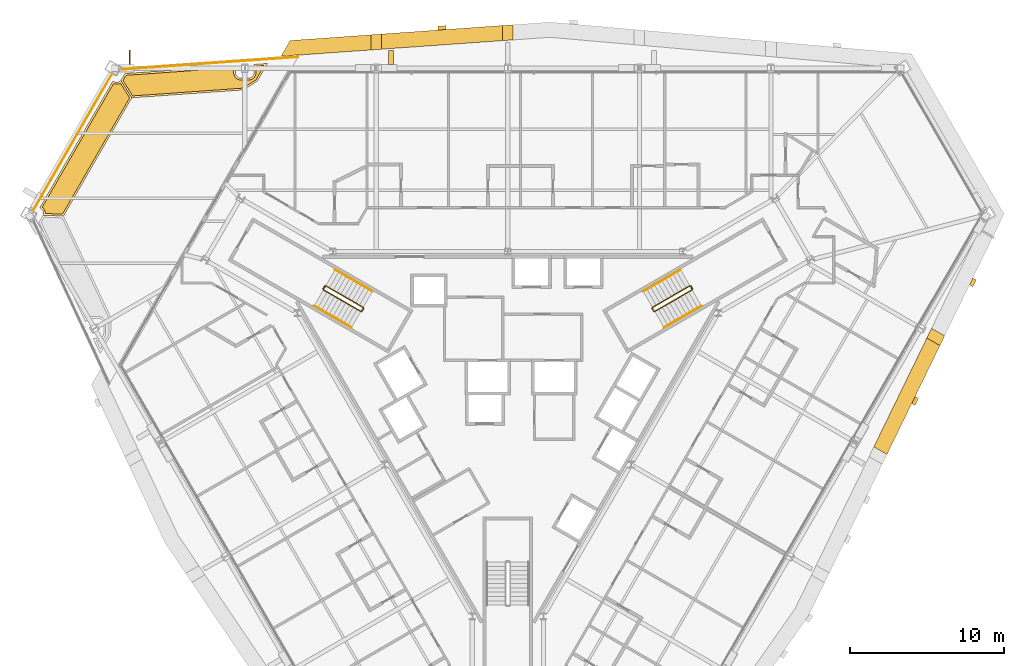
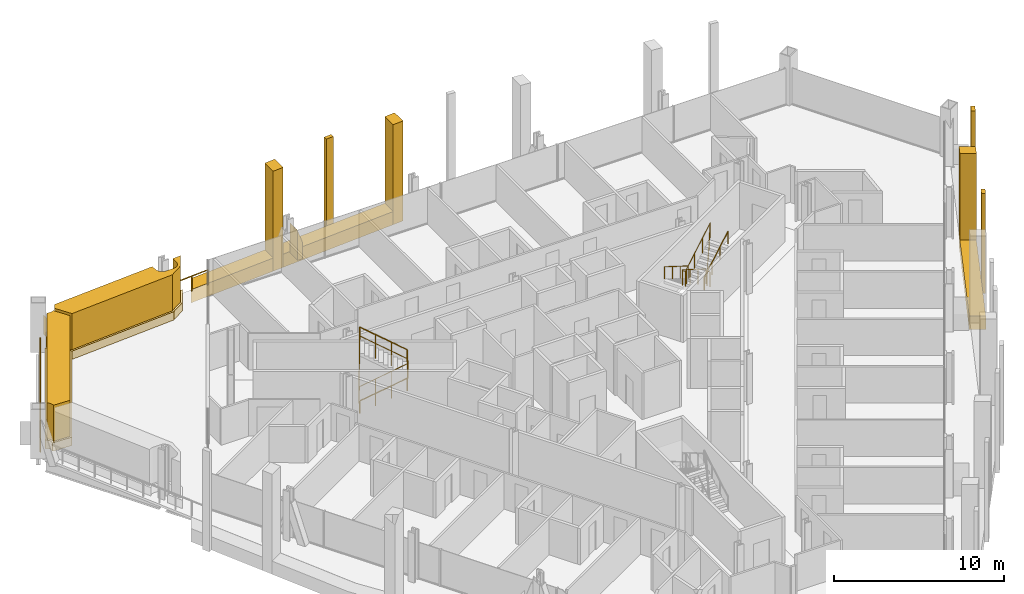
# One storey, part 18 of 19: 15 coverings, 8 railings.
"""IFC4 building model written with IfcOpenShell, lengths in metres."""

from ifc_helpers import new_model, si_unit, direction, frame, origin, origin_2d, place, context, subcontext, project, spatial, polyline, circle, outline, extrude, material, layer, layer_set, type_object, element, save


model = new_model("IFC4")

# Units and contexts
model_context = context("Model", 3, precision=1e-05, world=origin(), true_north=direction((0.0, 1.0)))
body_context = subcontext(model_context, "Body", "Model", "MODEL_VIEW")
ifc_project = project(units=[si_unit("LENGTHUNIT", "METRE"), si_unit("AREAUNIT", "SQUARE_METRE"), si_unit("VOLUMEUNIT", "CUBIC_METRE"), si_unit("PLANEANGLEUNIT", "RADIAN"), si_unit("MASSUNIT", "GRAM", prefix="KILO")], contexts=[model_context])

# Site, building, storey
site_placement = place(None, origin())
site = spatial("IfcSite", under=ifc_project, at=site_placement, CompositionType="ELEMENT")
building_placement = place(site_placement, origin())
building = spatial("IfcBuilding", under=site, at=building_placement, Name="Verrane Prism Tower", CompositionType="ELEMENT")
storey_placement = place(building_placement, frame((0.0, 0.0, 58.39990234375)))
storey = spatial("IfcBuildingStorey", under=building, at=storey_placement, Name="L12", CompositionType="ELEMENT", Elevation=58.39990234375)

# Railings
ifc_material_1 = material(Name="Stainless steel and laminated glass", Category="steel")
railing_type_1 = type_object("IfcRailingType", Name="Garden guard 1100", PredefinedType="GUARDRAIL", material=ifc_material_1)
railing_1_placement = place(storey_placement, frame((-13.58203125, 21.796142578125, 0.0)))
element("IfcRailing", 1, at=railing_1_placement, inside=storey, type_object=railing_type_1, Name="Garden guard L12 1", PredefinedType="GUARDRAIL", context=body_context, shape_type="SweptSolid", body=[
    extrude(circle(Radius=0.02392578125, at=origin_2d()), frame((0.0, 0.0, 1.076171875), z_axis=(-0.997507746928, -0.070557032386, 0.0), x_axis=(0.070557032386, -0.997507746928, 0.0)), (0.0, 0.0, 1.0), 11.4912109375),
    extrude(circle(Radius=0.02099609375, at=origin_2d()), origin(), (0.0, 0.0, 1.0), 1.052001953125),
    extrude(circle(Radius=0.02099609375, at=origin_2d()), frame((-1.146240234375, -0.0810546875, 0.0)), (0.0, 0.0, 1.0), 1.052001953125),
    extrude(circle(Radius=0.02099609375, at=origin_2d()), frame((-2.29248046875, -0.162109375, 0.0)), (0.0, 0.0, 1.0), 1.052001953125),
    extrude(circle(Radius=0.02099609375, at=origin_2d()), frame((-3.438720703125, -0.2431640625, 0.0)), (0.0, 0.0, 1.0), 1.052001953125),
    extrude(circle(Radius=0.02099609375, at=origin_2d()), frame((-4.5849609375, -0.32421875, 0.0)), (0.0, 0.0, 1.0), 1.052001953125),
    extrude(circle(Radius=0.02099609375, at=origin_2d()), frame((-5.7314453125, -0.4052734375, 0.0)), (0.0, 0.0, 1.0), 1.052001953125),
    extrude(circle(Radius=0.02099609375, at=origin_2d()), frame((-6.877685546875, -0.486572265625, 0.0)), (0.0, 0.0, 1.0), 1.052001953125),
    extrude(circle(Radius=0.02099609375, at=origin_2d()), frame((-8.02392578125, -0.567626953125, 0.0)), (0.0, 0.0, 1.0), 1.052001953125),
    extrude(circle(Radius=0.02099609375, at=origin_2d()), frame((-9.170166015625, -0.648681640625, 0.0)), (0.0, 0.0, 1.0), 1.052001953125),
    extrude(circle(Radius=0.02099609375, at=origin_2d()), frame((-10.31640625, -0.729736328125, 0.0)), (0.0, 0.0, 1.0), 1.052001953125),
    extrude(circle(Radius=0.02099609375, at=origin_2d()), frame((-11.462646484375, -0.810791015625, 0.0)), (0.0, 0.0, 1.0), 1.052001953125),
])
railing_2_placement = place(storey_placement, frame((-25.634765625, 20.68017578125, 0.0)))
element("IfcRailing", 2, at=railing_2_placement, inside=storey, type_object=railing_type_1, Name="Garden guard L12 2", PredefinedType="GUARDRAIL", context=body_context, shape_type="SweptSolid", body=[
    extrude(circle(Radius=0.02392578125, at=origin_2d()), frame((0.0, 0.0, 1.076171875), z_axis=(-0.500008799833, -0.866020323139, 0.0), x_axis=(0.866020323139, -0.500008799833, 0.0)), (0.0, 0.0, 1.0), 10.184814453125),
    extrude(circle(Radius=0.02099609375, at=origin_2d()), origin(), (0.0, 0.0, 1.0), 1.052001953125),
    extrude(circle(Radius=0.02099609375, at=origin_2d()), frame((-0.56591796875, -0.97998046875, 0.0)), (0.0, 0.0, 1.0), 1.052001953125),
    extrude(circle(Radius=0.02099609375, at=origin_2d()), frame((-1.131591796875, -1.9599609375, 0.0)), (0.0, 0.0, 1.0), 1.052001953125),
    extrude(circle(Radius=0.02099609375, at=origin_2d()), frame((-1.697509765625, -2.940185546875, 0.0)), (0.0, 0.0, 1.0), 1.052001953125),
    extrude(circle(Radius=0.02099609375, at=origin_2d()), frame((-2.263427734375, -3.920166015625, 0.0)), (0.0, 0.0, 1.0), 1.052001953125),
    extrude(circle(Radius=0.02099609375, at=origin_2d()), frame((-2.8291015625, -4.900146484375, 0.0)), (0.0, 0.0, 1.0), 1.052001953125),
    extrude(circle(Radius=0.02099609375, at=origin_2d()), frame((-3.39501953125, -5.880126953125, 0.0)), (0.0, 0.0, 1.0), 1.052001953125),
    extrude(circle(Radius=0.02099609375, at=origin_2d()), frame((-3.9609375, -6.8603515625, 0.0)), (0.0, 0.0, 1.0), 1.052001953125),
    extrude(circle(Radius=0.02099609375, at=origin_2d()), frame((-4.526611328125, -7.84033203125, 0.0)), (0.0, 0.0, 1.0), 1.052001953125),
    extrude(circle(Radius=0.02099609375, at=origin_2d()), frame((-5.092529296875, -8.8203125, 0.0)), (0.0, 0.0, 1.0), 1.052001953125),
])

# Coverings
ifc_material_2 = material(Name="Planting medium in stone kerb", Category="masonry")
covering_type_1 = type_object("IfcCoveringType", Name="Planter bed 600", PredefinedType="USERDEFINED", material=ifc_material_2)
covering_1_placement = place(storey_placement, origin())
element("IfcCovering", 3, at=covering_1_placement, inside=storey, type_object=covering_type_1, Name="Planter bed L12 1", ObjectType="PLANTER", PredefinedType="USERDEFINED", context=body_context, shape_type="SweptSolid", body=[
    extrude(outline(polyline([(-17.6318359375, 21.22900390625), (-24.792236328125, 20.722412109375), (-25.021240234375, 20.325927734375), (-25.039794921875, 20.297119140625), (-25.0537109375, 20.279296875), (-24.347412109375, 19.14990234375), (-17.124267578125, 19.660888671875), (-16.220703125, 20.22607421875), (-15.556884765625, 21.375732421875), (-16.428955078125, 21.314208984375), (-16.428955078125, 20.774658203125), (-16.4306640625, 20.740234375), (-16.435791015625, 20.706298828125), (-16.444091796875, 20.673095703125), (-16.455810546875, 20.640625), (-16.47021484375, 20.609619140625), (-16.488037109375, 20.580078125), (-16.508544921875, 20.552490234375), (-16.531494140625, 20.527099609375), (-16.556884765625, 20.50390625), (-16.584716796875, 20.483642578125), (-16.614013671875, 20.4658203125), (-16.64501953125, 20.451171875), (-16.677490234375, 20.439697265625), (-16.710693359375, 20.431396484375), (-16.74462890625, 20.42626953125), (-16.779052734375, 20.424560546875), (-17.281005859375, 20.424560546875), (-17.315185546875, 20.42626953125), (-17.349365234375, 20.431396484375), (-17.382568359375, 20.439697265625), (-17.414794921875, 20.451171875), (-17.446044921875, 20.4658203125), (-17.475341796875, 20.483642578125), (-17.5029296875, 20.50390625), (-17.528564453125, 20.527099609375), (-17.551513671875, 20.552490234375), (-17.572021484375, 20.580078125), (-17.589599609375, 20.609619140625), (-17.604248046875, 20.640625), (-17.60498046875, 20.642333984375), (-17.60498046875, 20.642578125), (-17.61669921875, 20.675048828125), (-17.625, 20.70849609375), (-17.630126953125, 20.742431640625), (-17.6318359375, 20.776611328125), (-17.6318359375, 21.22900390625)])), origin(), (0.0, 0.0, 1.0), 0.60009765625),
])
covering_2_placement = place(storey_placement, origin())
element("IfcCovering", 4, at=covering_2_placement, inside=storey, type_object=covering_type_1, Name="Planter bed L12 2", ObjectType="PLANTER", PredefinedType="USERDEFINED", context=body_context, shape_type="SweptSolid", body=[
    extrude(outline(polyline([(-30.064453125, 11.66748046875), (-30.0673828125, 11.63330078125), (-30.073486328125, 11.599609375), (-30.0830078125, 11.566650390625), (-30.089599609375, 11.5498046875), (-28.768798828125, 11.491943359375), (-24.347412109375, 19.14990234375), (-25.0537109375, 20.279296875), (-25.061279296875, 20.27001953125), (-25.085205078125, 20.24560546875), (-25.111083984375, 20.22314453125), (-25.139404296875, 20.20361328125), (-25.16943359375, 20.18701171875), (-25.200927734375, 20.17333984375), (-25.233642578125, 20.162841796875), (-25.267333984375, 20.155517578125), (-25.301513671875, 20.151611328125), (-25.335693359375, 20.151123046875), (-25.3701171875, 20.15380859375), (-25.40380859375, 20.16015625), (-25.436767578125, 20.16943359375), (-25.46875, 20.18212890625), (-25.499267578125, 20.19775390625), (-25.5673828125, 20.237060546875), (-30.309814453125, 12.02294921875), (-30.2392578125, 11.982177734375), (-30.21044921875, 11.963623046875), (-30.18359375, 11.942138671875), (-30.158935546875, 11.918212890625), (-30.13671875, 11.89208984375), (-30.1171875, 11.864013671875), (-30.100341796875, 11.833984375), (-30.086669921875, 11.802490234375), (-30.076171875, 11.769775390625), (-30.069091796875, 11.736083984375), (-30.065185546875, 11.701904296875), (-30.064453125, 11.66748046875)])), origin(), (0.0, 0.0, 1.0), 0.60009765625),
])
ifc_material_3 = material(Name="Planted shrubs and grasses", Category="other")
covering_type_2 = type_object("IfcCoveringType", Name="Planting mass 1000", PredefinedType="USERDEFINED", material=ifc_material_3)
covering_3_placement = place(storey_placement, frame((0.0, 0.0, 0.60009765625)))
element("IfcCovering", 5, at=covering_3_placement, inside=storey, type_object=covering_type_2, Name="Planting L12 1", ObjectType="PLANTING", PredefinedType="USERDEFINED", context=body_context, shape_type="SweptSolid", body=[
    extrude(outline(polyline([(-24.283935546875, 19.274658203125), (-17.16259765625, 19.778564453125), (-16.3095703125, 20.31201171875), (-15.773681640625, 21.239990234375), (-16.30908203125, 21.202392578125), (-16.30908203125, 20.771484375), (-16.31103515625, 20.728515625), (-16.31787109375, 20.682861328125), (-16.3291015625, 20.63818359375), (-16.3447265625, 20.5947265625), (-16.364501953125, 20.552978515625), (-16.38818359375, 20.513427734375), (-16.41552734375, 20.476318359375), (-16.446533203125, 20.442138671875), (-16.480712890625, 20.4111328125), (-16.517822265625, 20.3837890625), (-16.557373046875, 20.35986328125), (-16.59912109375, 20.340087890625), (-16.642578125, 20.32470703125), (-16.687255859375, 20.3134765625), (-16.73291015625, 20.306640625), (-16.776123046875, 20.3046875), (-17.283935546875, 20.3046875), (-17.3271484375, 20.306640625), (-17.372802734375, 20.3134765625), (-17.41748046875, 20.32470703125), (-17.4609375, 20.340087890625), (-17.502685546875, 20.35986328125), (-17.542236328125, 20.3837890625), (-17.5791015625, 20.4111328125), (-17.61328125, 20.442138671875), (-17.644287109375, 20.476318359375), (-17.671875, 20.513427734375), (-17.695556640625, 20.552978515625), (-17.71484375, 20.593505859375), (-17.7177734375, 20.601318359375), (-17.731689453125, 20.64013671875), (-17.742919921875, 20.684814453125), (-17.749755859375, 20.730712890625), (-17.751708984375, 20.773681640625), (-17.751708984375, 21.10009765625), (-24.72021484375, 20.607421875), (-24.910888671875, 20.277099609375), (-24.283935546875, 19.274658203125)])), origin(), (0.0, 0.0, 1.0), 2.60009765625),
])
covering_4_placement = place(storey_placement, frame((0.0, 0.0, 0.60009765625)))
element("IfcCovering", 6, at=covering_4_placement, inside=storey, type_object=covering_type_2, Name="Planting L12 2", ObjectType="PLANTING", PredefinedType="USERDEFINED", context=body_context, shape_type="SweptSolid", body=[
    extrude(outline(polyline([(-30.140380859375, 12.061279296875), (-30.104248046875, 12.03271484375), (-30.0712890625, 12.00048828125), (-30.041259765625, 11.96533203125), (-30.01513671875, 11.927490234375), (-29.99267578125, 11.886962890625), (-29.974365234375, 11.8447265625), (-29.960205078125, 11.80078125), (-29.950439453125, 11.755615234375), (-29.9453125, 11.709716796875), (-29.9443359375, 11.663818359375), (-29.9443359375, 11.66357421875), (-28.836181640625, 11.614990234375), (-24.4873046875, 19.1474609375), (-25.08203125, 20.098388671875), (-25.116455078125, 20.079345703125), (-25.15869140625, 20.060791015625), (-25.20263671875, 20.046875), (-25.247802734375, 20.037109375), (-25.293701171875, 20.03173828125), (-25.339599609375, 20.031005859375), (-25.3857421875, 20.034912109375), (-25.43115234375, 20.04296875), (-25.475341796875, 20.0556640625), (-25.518310546875, 20.07275390625), (-25.5224609375, 20.07470703125), (-30.146728515625, 12.065185546875), (-30.140380859375, 12.061279296875)])), origin(), (0.0, 0.0, 1.0), 2.60009765625),
])

# Railings
ifc_material_4 = material(Name="Steel A36 rail and posts, no infill", Category="steel")
railing_type_2 = type_object("IfcRailingType", Name="Stair guard 1100 steel rail and posts", PredefinedType="GUARDRAIL", material=ifc_material_4)
railing_3_placement = place(storey_placement, frame((11.78955078125, 6.97998046875, 0.163818359375)))
element("IfcRailing", 7, at=railing_3_placement, inside=storey, type_object=railing_type_2, Name="Stair 1 guard", PredefinedType="GUARDRAIL", context=body_context, shape_type="SweptSolid", body=[
    extrude(circle(Radius=0.02392578125, at=origin_2d()), frame((0.0, 0.0, 1.076171875), z_axis=(-0.747693913401, -0.431738279637, 0.504535300807), x_axis=(0.500049511043, -0.865996816683, 0.0)), (0.0, 0.0, 1.0), 3.2431640625),
    extrude(circle(Radius=0.02392578125, at=origin_2d()), frame((-2.4248046875, -1.400146484375, 2.71240234375), z_axis=(-0.259601060869, -0.965715946433, 0.0), x_axis=(0.965715946433, -0.259601060869, 0.0)), (0.0, 0.0, 1.0), 0.070556640625),
    extrude(circle(Radius=0.02392578125, at=origin_2d()), frame((-2.443115234375, -1.46826171875, 2.71240234375), z_axis=(0.499158860599, -0.866510491504, 0.0), x_axis=(0.866510491504, 0.499158860599, 0.0)), (0.0, 0.0, 1.0), 0.199951171875),
    extrude(circle(Radius=0.02392578125, at=origin_2d()), frame((-2.34326171875, -1.6416015625, 2.71240234375), z_axis=(0.383552647116, -0.102737316192, 0.917786691313), x_axis=(0.258736085224, 0.965948051503, 0.0)), (0.0, 0.0, 1.0), 0.17822265625),
    extrude(circle(Radius=0.02392578125, at=origin_2d()), frame((-2.27490234375, -1.659912109375, 2.8759765625), z_axis=(0.747665513933, 0.431721881032, 0.504591415616), x_axis=(-0.500049511043, 0.865996816683, 0.0)), (0.0, 0.0, 1.0), 3.2431640625),
    extrude(circle(Radius=0.02392578125, at=origin_2d()), frame((0.14990234375, -0.259765625, 4.51220703125), z_axis=(-0.022593669287, 0.066901613547, -0.997503734436), x_axis=(-0.947430582667, -0.3199613899, 0.0)), (0.0, 0.0, 1.0), 3.609130859375),
    extrude(circle(Radius=0.02392578125, at=origin_2d()), frame((0.068359375, -0.018310546875, 0.912109375), z_axis=(0.499158860599, -0.866510491504, 0.0), x_axis=(0.866510491504, 0.499158860599, 0.0)), (0.0, 0.0, 1.0), 0.199951171875),
    extrude(circle(Radius=0.02099609375, at=origin_2d()), origin(), (0.0, 0.0, 1.0), 1.052001953125),
    extrude(circle(Radius=0.02099609375, at=origin_2d()), frame((-0.808349609375, -0.466796875, 0.54541015625)), (0.0, 0.0, 1.0), 1.052001953125),
    extrude(circle(Radius=0.02099609375, at=origin_2d()), frame((-1.616455078125, -0.933349609375, 1.0908203125)), (0.0, 0.0, 1.0), 1.052001953125),
    extrude(circle(Radius=0.02099609375, at=origin_2d()), frame((-2.4248046875, -1.400146484375, 1.63623046875)), (0.0, 0.0, 1.0), 1.052001953125),
    extrude(circle(Radius=0.02099609375, at=origin_2d()), frame((-2.443115234375, -1.46826171875, 1.63623046875)), (0.0, 0.0, 1.0), 1.052001953125),
    extrude(circle(Radius=0.02099609375, at=origin_2d()), frame((-2.34326171875, -1.6416015625, 1.63623046875)), (0.0, 0.0, 1.0), 1.052001953125),
    extrude(circle(Radius=0.02099609375, at=origin_2d()), frame((-2.27490234375, -1.659912109375, 1.7998046875)), (0.0, 0.0, 1.0), 1.052001953125),
    extrude(circle(Radius=0.02099609375, at=origin_2d()), frame((-1.466552734375, -1.193115234375, 2.34521484375)), (0.0, 0.0, 1.0), 1.052001953125),
    extrude(circle(Radius=0.02099609375, at=origin_2d()), frame((-0.658447265625, -0.7265625, 2.890869140625)), (0.0, 0.0, 1.0), 1.052001953125),
    extrude(circle(Radius=0.02099609375, at=origin_2d()), frame((0.14990234375, -0.259765625, 3.436279296875)), (0.0, 0.0, 1.0), 1.052001953125),
    extrude(circle(Radius=0.02099609375, at=origin_2d()), frame((0.12939453125, -0.199462890625, 2.5361328125)), (0.0, 0.0, 1.0), 1.052001953125),
    extrude(circle(Radius=0.02099609375, at=origin_2d()), frame((0.109130859375, -0.13916015625, 1.63623046875)), (0.0, 0.0, 1.0), 1.052001953125),
    extrude(circle(Radius=0.02099609375, at=origin_2d()), frame((0.0888671875, -0.07861328125, 0.736328125)), (0.0, 0.0, 1.0), 1.052001953125),
    extrude(circle(Radius=0.02099609375, at=origin_2d()), frame((0.068359375, -0.018310546875, -0.163818359375)), (0.0, 0.0, 1.0), 1.052001953125),
    extrude(circle(Radius=0.02099609375, at=origin_2d()), frame((0.168212890625, -0.191650390625, -0.163818359375)), (0.0, 0.0, 1.0), 1.052001953125),
])
railing_4_placement = place(storey_placement, frame((-11.939453125, 6.72021484375, 0.163818359375)))
element("IfcRailing", 8, at=railing_4_placement, inside=storey, type_object=railing_type_2, Name="Stair 2 guard", PredefinedType="GUARDRAIL", context=body_context, shape_type="SweptSolid", body=[
    extrude(circle(Radius=0.02392578125, at=origin_2d()), frame((0.0, 0.0, 1.076171875), z_axis=(0.747693913401, -0.431738279637, 0.504535300807), x_axis=(0.500049511043, 0.865996816683, 0.0)), (0.0, 0.0, 1.0), 3.2431640625),
    extrude(circle(Radius=0.02392578125, at=origin_2d()), frame((2.4248046875, -1.400146484375, 2.71240234375), z_axis=(0.965948051503, 0.258736085224, 0.0), x_axis=(-0.258736085224, 0.965948051503, 0.0)), (0.0, 0.0, 1.0), 0.07080078125),
    extrude(circle(Radius=0.02392578125, at=origin_2d()), frame((2.4931640625, -1.3818359375, 2.71240234375), z_axis=(0.499158860599, 0.866510491504, 0.0), x_axis=(-0.866510491504, 0.499158860599, 0.0)), (0.0, 0.0, 1.0), 0.199951171875),
    extrude(circle(Radius=0.02392578125, at=origin_2d()), frame((2.593017578125, -1.20849609375, 2.71240234375), z_axis=(-0.102791240646, 0.382383415203, 0.918268416436), x_axis=(-0.965715946433, -0.259601060869, 0.0)), (0.0, 0.0, 1.0), 0.17822265625),
    extrude(circle(Radius=0.02392578125, at=origin_2d()), frame((2.57470703125, -1.140380859375, 2.8759765625), z_axis=(-0.747665513933, 0.431721881032, 0.504591415616), x_axis=(-0.500049511043, -0.865996816683, 0.0)), (0.0, 0.0, 1.0), 3.2431640625),
    extrude(circle(Radius=0.02392578125, at=origin_2d()), frame((0.14990234375, 0.259765625, 4.51220703125), z_axis=(-0.046607763296, -0.053101733218, -0.99750083826), x_axis=(0.751567565678, -0.659656118156, 0.0)), (0.0, 0.0, 1.0), 3.609130859375),
    extrude(circle(Radius=0.02392578125, at=origin_2d()), frame((-0.018310546875, 0.068115234375, 0.912109375), z_axis=(0.499158860599, 0.866510491504, 0.0), x_axis=(-0.866510491504, 0.499158860599, 0.0)), (0.0, 0.0, 1.0), 0.199951171875),
    extrude(circle(Radius=0.02099609375, at=origin_2d()), origin(), (0.0, 0.0, 1.0), 1.052001953125),
    extrude(circle(Radius=0.02099609375, at=origin_2d()), frame((0.808349609375, -0.466796875, 0.54541015625)), (0.0, 0.0, 1.0), 1.052001953125),
    extrude(circle(Radius=0.02099609375, at=origin_2d()), frame((1.616455078125, -0.933349609375, 1.0908203125)), (0.0, 0.0, 1.0), 1.052001953125),
    extrude(circle(Radius=0.02099609375, at=origin_2d()), frame((2.4248046875, -1.400146484375, 1.63623046875)), (0.0, 0.0, 1.0), 1.052001953125),
    extrude(circle(Radius=0.02099609375, at=origin_2d()), frame((2.4931640625, -1.3818359375, 1.63623046875)), (0.0, 0.0, 1.0), 1.052001953125),
    extrude(circle(Radius=0.02099609375, at=origin_2d()), frame((2.593017578125, -1.20849609375, 1.63623046875)), (0.0, 0.0, 1.0), 1.052001953125),
    extrude(circle(Radius=0.02099609375, at=origin_2d()), frame((2.57470703125, -1.140380859375, 1.7998046875)), (0.0, 0.0, 1.0), 1.052001953125),
    extrude(circle(Radius=0.02099609375, at=origin_2d()), frame((1.766357421875, -0.673583984375, 2.34521484375)), (0.0, 0.0, 1.0), 1.052001953125),
    extrude(circle(Radius=0.02099609375, at=origin_2d()), frame((0.958251953125, -0.20703125, 2.890869140625)), (0.0, 0.0, 1.0), 1.052001953125),
    extrude(circle(Radius=0.02099609375, at=origin_2d()), frame((0.14990234375, 0.259765625, 3.436279296875)), (0.0, 0.0, 1.0), 1.052001953125),
    extrude(circle(Radius=0.02099609375, at=origin_2d()), frame((0.10791015625, 0.2119140625, 2.5361328125)), (0.0, 0.0, 1.0), 1.052001953125),
    extrude(circle(Radius=0.02099609375, at=origin_2d()), frame((0.06591796875, 0.1640625, 1.63623046875)), (0.0, 0.0, 1.0), 1.052001953125),
    extrude(circle(Radius=0.02099609375, at=origin_2d()), frame((0.023681640625, 0.115966796875, 0.736328125)), (0.0, 0.0, 1.0), 1.052001953125),
    extrude(circle(Radius=0.02099609375, at=origin_2d()), frame((-0.018310546875, 0.068115234375, -0.163818359375)), (0.0, 0.0, 1.0), 1.052001953125),
    extrude(circle(Radius=0.02099609375, at=origin_2d()), frame((0.08154296875, 0.241455078125, -0.163818359375)), (0.0, 0.0, 1.0), 1.052001953125),
])
ifc_material_5 = material(Name="Steel A36 tube", Category="steel")
railing_type_3 = type_object("IfcRailingType", Name="Stair handrail 900 steel tube", PredefinedType="HANDRAIL", material=ifc_material_5)
railing_5_placement = place(storey_placement, frame((11.189453125, 8.01904296875, 0.163818359375)))
element("IfcRailing", 9, at=railing_5_placement, inside=storey, type_object=railing_type_3, Name="Stair 1 handrail", PredefinedType="HANDRAIL", context=body_context, shape_type="SweptSolid", body=[
    extrude(circle(Radius=0.02392578125, at=origin_2d()), frame((0.0, 0.0, 0.8759765625), z_axis=(-0.74771821388, -0.431677027627, 0.504551698492), x_axis=(0.49998411664, -0.866034573852, 0.0)), (0.0, 0.0, 1.0), 3.242919921875),
    extrude(circle(Radius=0.02099609375, at=origin_2d()), origin(), (0.0, 0.0, 1.0), 0.851806640625),
    extrude(circle(Radius=0.02099609375, at=origin_2d()), frame((-0.808349609375, -0.466552734375, 0.54541015625)), (0.0, 0.0, 1.0), 0.851806640625),
    extrude(circle(Radius=0.02099609375, at=origin_2d()), frame((-1.616455078125, -0.933349609375, 1.0908203125)), (0.0, 0.0, 1.0), 0.851806640625),
    extrude(circle(Radius=0.02099609375, at=origin_2d()), frame((-2.4248046875, -1.39990234375, 1.63623046875)), (0.0, 0.0, 1.0), 0.851806640625),
])
railing_6_placement = place(storey_placement, frame((10.11474609375, 4.28076171875, 1.963623046875)))
element("IfcRailing", 10, at=railing_6_placement, inside=storey, type_object=railing_type_3, Name="Stair 1 handrail", PredefinedType="HANDRAIL", context=body_context, shape_type="SweptSolid", body=[
    extrude(circle(Radius=0.02392578125, at=origin_2d()), frame((0.0, 0.0, 0.8759765625), z_axis=(0.747665513933, 0.431721881032, 0.504591415616), x_axis=(-0.500049511043, 0.865996816683, 0.0)), (0.0, 0.0, 1.0), 3.2431640625),
    extrude(circle(Radius=0.02099609375, at=origin_2d()), origin(), (0.0, 0.0, 1.0), 0.851806640625),
    extrude(circle(Radius=0.02099609375, at=origin_2d()), frame((0.808349609375, 0.466796875, 0.54541015625)), (0.0, 0.0, 1.0), 0.851806640625),
    extrude(circle(Radius=0.02099609375, at=origin_2d()), frame((1.616455078125, 0.933349609375, 1.091064453125)), (0.0, 0.0, 1.0), 0.851806640625),
    extrude(circle(Radius=0.02099609375, at=origin_2d()), frame((2.4248046875, 1.400146484375, 1.636474609375)), (0.0, 0.0, 1.0), 0.851806640625),
])
railing_7_placement = place(storey_placement, frame((-12.53955078125, 5.680908203125, 0.163818359375)))
element("IfcRailing", 11, at=railing_7_placement, inside=storey, type_object=railing_type_3, Name="Stair 2 handrail", PredefinedType="HANDRAIL", context=body_context, shape_type="SweptSolid", body=[
    extrude(circle(Radius=0.02392578125, at=origin_2d()), frame((0.0, 0.0, 0.8759765625), z_axis=(0.747693913401, -0.431738279637, 0.504535300807), x_axis=(0.500049511043, 0.865996816683, 0.0)), (0.0, 0.0, 1.0), 3.2431640625),
    extrude(circle(Radius=0.02099609375, at=origin_2d()), origin(), (0.0, 0.0, 1.0), 0.851806640625),
    extrude(circle(Radius=0.02099609375, at=origin_2d()), frame((0.808349609375, -0.466796875, 0.54541015625)), (0.0, 0.0, 1.0), 0.851806640625),
    extrude(circle(Radius=0.02099609375, at=origin_2d()), frame((1.616455078125, -0.933349609375, 1.0908203125)), (0.0, 0.0, 1.0), 0.851806640625),
    extrude(circle(Radius=0.02099609375, at=origin_2d()), frame((2.4248046875, -1.400146484375, 1.63623046875)), (0.0, 0.0, 1.0), 0.851806640625),
])
railing_8_placement = place(storey_placement, frame((-8.7646484375, 6.619140625, 1.963623046875)))
element("IfcRailing", 12, at=railing_8_placement, inside=storey, type_object=railing_type_3, Name="Stair 2 handrail", PredefinedType="HANDRAIL", context=body_context, shape_type="SweptSolid", body=[
    extrude(circle(Radius=0.02392578125, at=origin_2d()), frame((0.0, 0.0, 0.8759765625), z_axis=(-0.747689811644, 0.431660630283, 0.504607813879), x_axis=(-0.49998411664, -0.866034573852, 0.0)), (0.0, 0.0, 1.0), 3.2431640625),
    extrude(circle(Radius=0.02099609375, at=origin_2d()), origin(), (0.0, 0.0, 1.0), 0.851806640625),
    extrude(circle(Radius=0.02099609375, at=origin_2d()), frame((-0.808349609375, 0.466552734375, 0.54541015625)), (0.0, 0.0, 1.0), 0.851806640625),
    extrude(circle(Radius=0.02099609375, at=origin_2d()), frame((-1.616455078125, 0.933349609375, 1.091064453125)), (0.0, 0.0, 1.0), 0.851806640625),
    extrude(circle(Radius=0.02099609375, at=origin_2d()), frame((-2.4248046875, 1.39990234375, 1.636474609375)), (0.0, 0.0, 1.0), 0.851806640625),
])

# Coverings
ifc_material_6 = material(Name="Warm limestone cladding", Category="masonry")
ifc_layer_1 = layer(ifc_material_6, 0.89990234375)
ifc_layer_set_1 = layer_set([ifc_layer_1], Name="Stone brace fin 900")
covering_type_3 = type_object("IfcCoveringType", Name="Stone brace fin 900", PredefinedType="CLADDING", material=ifc_layer_set_1)
covering_5_placement = place(storey_placement, frame((-7.40283203125, 21.77392578125, 0.0), z_axis=(0.0, 0.0, 1.0), x_axis=(-1.0, 0.0, 0.0)))
element("IfcCovering", 13, at=covering_5_placement, inside=storey, type_object=covering_type_3, Name="Stone brace fin N4 L12", PredefinedType="CLADDING", context=body_context, shape_type="SweptSolid", body=[
    extrude(outline(polyline([(0.0, 0.0), (0.333984375, 0.0), (0.333984375, 2.150390625), (0.0, 1.16259765625), (0.0, 0.0)])), frame((0.0, 0.449951171875, 0.0), z_axis=(0.0, -1.0, 0.0), x_axis=(1.0, 0.0, 0.0)), (0.0, 0.0, 1.0), 0.89990234375),
])
covering_6_placement = place(storey_placement, frame((-24.432861328125, 21.77392578125, 0.0), z_axis=(0.0, 0.0, 1.0), x_axis=(-1.0, 0.0, 0.0)))
element("IfcCovering", 14, at=covering_6_placement, inside=storey, type_object=covering_type_3, Name="Stone brace fin N6 L12", PredefinedType="CLADDING", context=body_context, shape_type="SweptSolid", body=[
    extrude(outline(polyline([(0.0, 0.0), (0.08349609375, 0.0), (0.08349609375, 1.409423828125), (0.0, 1.16259765625), (0.0, 0.0)])), frame((0.0, 0.449951171875, 0.0), z_axis=(0.0, -1.0, 0.0), x_axis=(1.0, 0.0, 0.0)), (0.0, 0.0, 1.0), 0.89990234375),
])
ifc_material_7 = material(Name="Warm limestone cladding", Category="masonry")
covering_type_4 = type_object("IfcCoveringType", Name="Stone mullion pier 500", PredefinedType="CLADDING", material=ifc_material_7)
covering_7_placement = place(storey_placement, frame((0.0, 0.0, -0.949951171875)))
element("IfcCovering", 15, at=covering_7_placement, inside=storey, type_object=covering_type_4, Name="Stone pier SM-N3.1 L12-L13", PredefinedType="CLADDING", context=body_context, shape_type="SweptSolid", body=[
    extrude(outline(polyline([(-4.508056640625, 23.538818359375), (-4.008056640625, 23.57421875), (-4.008056640625, 23.824951171875), (-4.508056640625, 23.78955078125), (-4.508056640625, 23.538818359375)])), origin(), (0.0, 0.0, 1.0), 7.199951171875),
])
covering_8_placement = place(storey_placement, frame((0.0, 0.0, -0.949951171875)))
element("IfcCovering", 16, at=covering_8_placement, inside=storey, type_object=covering_type_4, Name="Stone pier SM-SE4.1 L12-L13", PredefinedType="CLADDING", context=body_context, shape_type="SweptSolid", body=[
    extrude(outline(polyline([(26.37548828125, -0.18896484375), (26.15625, -0.6396484375), (26.373291015625, -0.764892578125), (26.5927734375, -0.314208984375), (26.37548828125, -0.18896484375)])), origin(), (0.0, 0.0, 1.0), 7.199951171875),
])
covering_9_placement = place(storey_placement, frame((0.0, 0.0, -0.949951171875)))
element("IfcCovering", 17, at=covering_9_placement, inside=storey, type_object=covering_type_4, Name="Stone pier SM-SE5.1 L12-L13", PredefinedType="CLADDING", context=body_context, shape_type="SweptSolid", body=[
    extrude(outline(polyline([(30.112060546875, 7.4873046875), (29.892578125, 7.03662109375), (30.109619140625, 6.911376953125), (30.3291015625, 7.362060546875), (30.112060546875, 7.4873046875)])), origin(), (0.0, 0.0, 1.0), 7.199951171875),
])
ifc_material_8 = material(Name="Warm limestone cladding", Category="masonry")
covering_type_5 = type_object("IfcCoveringType", Name="Stone pier 700", PredefinedType="CLADDING", material=ifc_material_8)
covering_10_placement = place(storey_placement, frame((0.0, 0.0, -0.949951171875)))
element("IfcCovering", 18, at=covering_10_placement, inside=storey, type_object=covering_type_5, Name="Stone pier PC-N3 L12-L13", PredefinedType="CLADDING", context=body_context, shape_type="SweptSolid", body=[
    extrude(outline(polyline([(-0.35009765625, 23.8330078125), (-0.35009765625, 22.8525390625), (0.35009765625, 22.902099609375), (0.35009765625, 23.882568359375), (-0.35009765625, 23.8330078125)])), origin(), (0.0, 0.0, 1.0), 7.199951171875),
])
covering_11_placement = place(storey_placement, frame((0.0, 0.0, -0.949951171875)))
element("IfcCovering", 19, at=covering_11_placement, inside=storey, type_object=covering_type_5, Name="Stone pier PC-N4 L12-L13", PredefinedType="CLADDING", context=body_context, shape_type="SweptSolid", body=[
    extrude(outline(polyline([(-8.8662109375, 23.230712890625), (-8.8662109375, 22.25), (-8.166015625, 22.299560546875), (-8.166015625, 23.280029296875), (-8.8662109375, 23.230712890625)])), origin(), (0.0, 0.0, 1.0), 7.199951171875),
])
covering_12_placement = place(storey_placement, frame((0.0, 0.0, -0.949951171875)))
element("IfcCovering", 20, at=covering_12_placement, inside=storey, type_object=covering_type_5, Name="Stone pier PC-SE5 L12-L13", PredefinedType="CLADDING", context=body_context, shape_type="SweptSolid", body=[
    extrude(outline(polyline([(28.28759765625, 3.7392578125), (27.4384765625, 4.2294921875), (27.13134765625, 3.5986328125), (27.98046875, 3.1083984375), (28.28759765625, 3.7392578125)])), origin(), (0.0, 0.0, 1.0), 7.199951171875),
])
ifc_material_9 = material(Name="Warm limestone cladding", Category="masonry")
ifc_layer_2 = layer(ifc_material_9, 0.449951171875)
ifc_layer_set_2 = layer_set([ifc_layer_2], Name="Stone spandrel band 450")
covering_type_6 = type_object("IfcCoveringType", Name="Stone spandrel band 450", PredefinedType="CLADDING", material=ifc_layer_set_2)
covering_13_placement = place(storey_placement, frame((0.0, 0.0, -0.949951171875)))
element("IfcCovering", 21, at=covering_13_placement, inside=storey, type_object=covering_type_6, Name="Stone spandrel band L12 part 8", PredefinedType="CLADDING", context=body_context, shape_type="SweptSolid", body=[
    extrude(outline(polyline([(27.13134765625, 3.5986328125), (23.7021484375, -3.44677734375), (24.551513671875, -3.93701171875), (27.98046875, 3.1083984375), (27.13134765625, 3.5986328125)])), origin(), (0.0, 0.0, 1.0), 0.949951171875),
])
covering_14_placement = place(storey_placement, frame((0.0, 0.0, -0.949951171875)))
element("IfcCovering", 22, at=covering_14_placement, inside=storey, type_object=covering_type_6, Name="Stone spandrel band L12 part 11", PredefinedType="CLADDING", context=body_context, shape_type="SweptSolid", body=[
    extrude(outline(polyline([(-0.35009765625, 22.8525390625), (-0.35009765625, 23.8330078125), (-8.166015625, 23.280029296875), (-8.166015625, 22.299560546875), (-0.35009765625, 22.8525390625)])), origin(), (0.0, 0.0, 1.0), 0.949951171875),
])
covering_15_placement = place(storey_placement, frame((0.0, 0.0, -0.949951171875)))
element("IfcCovering", 23, at=covering_15_placement, inside=storey, type_object=covering_type_6, Name="Stone spandrel band L12 part 13", PredefinedType="CLADDING", context=body_context, shape_type="SweptSolid", body=[
    extrude(outline(polyline([(-8.8662109375, 22.25), (-8.8662109375, 23.230712890625), (-14.096923828125, 22.860595703125), (-14.68115234375, 21.8486328125), (-13.49169921875, 21.932861328125), (-13.497802734375, 21.922607421875), (-8.8662109375, 22.25)])), origin(), (0.0, 0.0, 1.0), 0.949951171875),
])

save(model, "model.ifc")
